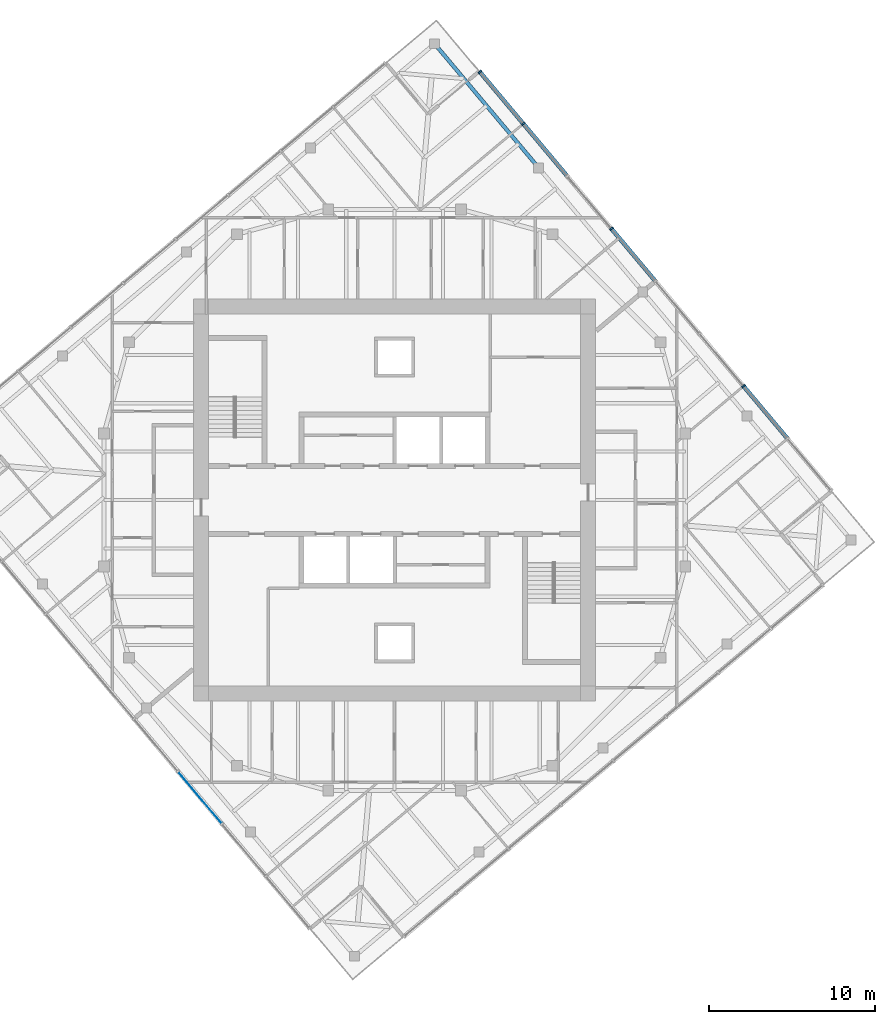
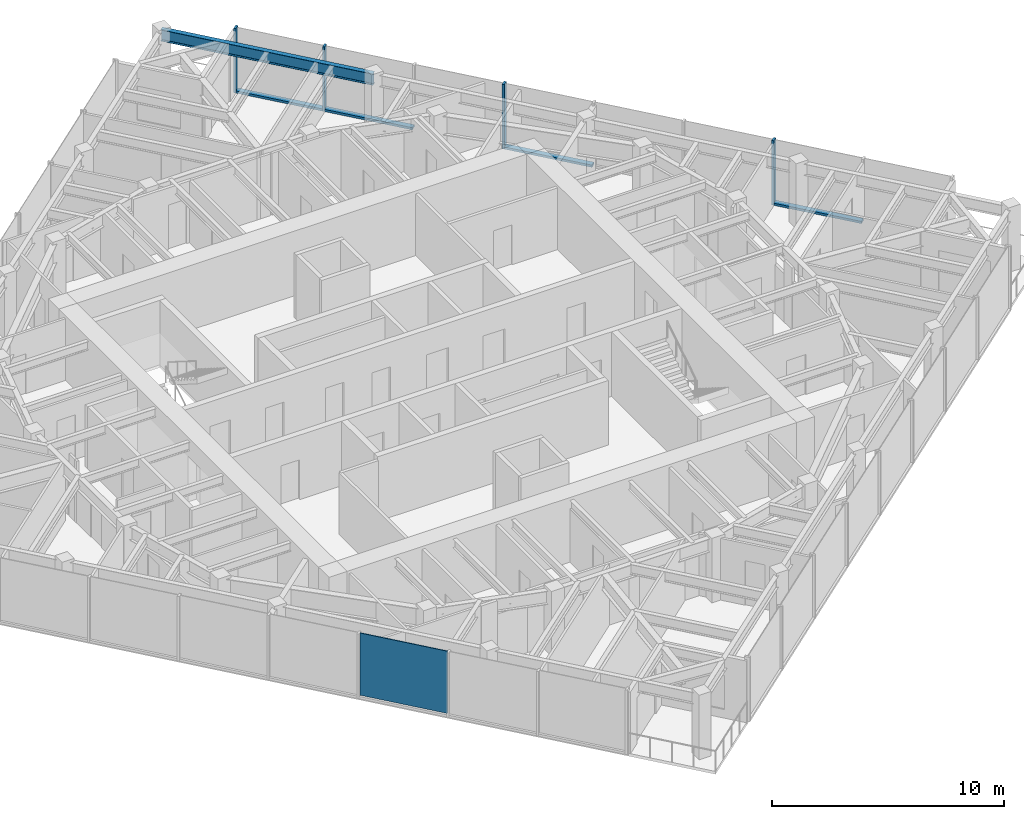
# One storey, part 5 of 12: 8 members, 1 beam, 1 plate, 2 elements without a shape of their own.
"""IFC4 building model written with IfcOpenShell, lengths in metres."""

from ifc_helpers import new_model, si_unit, direction, frame, origin, origin_2d, place, context, subcontext, project, spatial, rectangle, i_section, extrude, material, layer, layer_set, material_profile, profile_set, type_object, element, aggregate, save


model = new_model("IFC4")

# Units and contexts
model_context = context("Model", 3, precision=1e-05, world=origin(), true_north=direction((0.0, 1.0)))
body_context = subcontext(model_context, "Body", "Model", "MODEL_VIEW")
ifc_project = project(units=[si_unit("LENGTHUNIT", "METRE"), si_unit("AREAUNIT", "SQUARE_METRE"), si_unit("VOLUMEUNIT", "CUBIC_METRE"), si_unit("PLANEANGLEUNIT", "RADIAN"), si_unit("MASSUNIT", "GRAM", prefix="KILO")], contexts=[model_context])

# Site, building, storey
site_placement = place(None, origin())
site = spatial("IfcSite", under=ifc_project, at=site_placement, CompositionType="ELEMENT")
building_placement = place(site_placement, origin())
building = spatial("IfcBuilding", under=site, at=building_placement, Name="Torsade Residences", CompositionType="ELEMENT")
storey_placement = place(building_placement, frame((0.0, 0.0, 279.39990234375)))
storey = spatial("IfcBuildingStorey", under=building, at=storey_placement, Name="L77", CompositionType="ELEMENT", Elevation=279.39990234375)

# Beam
ifc_material_1 = material(Name="Steel grade 300", Category="steel")
ifc_material_profile_1 = material_profile(ifc_material_1, i_section(OverallWidth=0.22802734375, OverallDepth=0.60205078125, WebThickness=0.010498046875, FlangeThickness=0.014892578125, FilletRadius=0.013916015625, at=origin_2d()), Name="610UB101")
ifc_profile_set_1 = profile_set([ifc_material_profile_1], Name="Steel grade 300")
beam_type = type_object("IfcBeamType", Name="EDGE BEAM 610UB101", PredefinedType="SPANDREL", material=ifc_profile_set_1)
beam_placement = place(storey_placement, frame((48.670654296875, 50.003173828125, 2.94921875), z_axis=(-0.642779160279, 0.766051532934, 0.0), x_axis=(-0.766051532934, -0.642779160279, 0.0)))
element("IfcBeam", 1, at=beam_placement, inside=storey, type_object=beam_type, Name="Edge beam 08 L78", PredefinedType="SPANDREL", context=body_context, shape_type="SweptSolid", body=[
    extrude(i_section(OverallWidth=0.22802734375, OverallDepth=0.60205078125, WebThickness=0.010498046875, FlangeThickness=0.014892578125, FilletRadius=0.013916015625, at=origin_2d()), origin(), (0.0, 0.0, 1.0), 9.75),
])

# Curtain wall, members
ifc_material_2 = material(Name="Aluminium and glass", Category="aluminium")
curtain_wall_type = type_object("IfcCurtainWallType", Name="FRITTED GLASS CURTAIN WALL HIGH ZONE", PredefinedType="NOTDEFINED", material=ifc_material_2)
curtain_wall_1_placement = place(storey_placement, origin())
curtain_wall_1 = element("IfcCurtainWall", 2, at=curtain_wall_1_placement, inside=storey, type_object=curtain_wall_type, Name="Curtain wall L77 face 4", PredefinedType="NOTDEFINED")
ifc_material_3 = material(Name="Aluminium mullion", Category="aluminium")
ifc_material_profile_2 = material_profile(ifc_material_3, rectangle(XDim=0.25, YDim=0.10009765625, at=origin_2d()), Name="HIGH ZONE CURTAIN WALL MULLION 250x100")
ifc_profile_set_2 = profile_set([ifc_material_profile_2], Name="Aluminium mullion")
member_type_1 = type_object("IfcMemberType", Name="HIGH ZONE CURTAIN WALL MULLION 250x100", PredefinedType="MULLION", material=ifc_profile_set_2)
member_1_placement = place(storey_placement, frame((61.0068359375, 36.857177734375, 0.0), z_axis=(0.0, 0.0, 1.0), x_axis=(-0.766044437106, -0.642787616853, 0.0)))
member_1 = element("IfcMember", 3, at=member_1_placement, type_object=member_type_1, Name="Mullion 3", PredefinedType="MULLION", context=body_context, shape_type="SweptSolid", body=[
    extrude(rectangle(XDim=0.25, YDim=0.10009765625, at=origin_2d()), origin(), (0.0, 0.0, 1.0), 3.400146484375),
])
member_2_placement = place(storey_placement, frame((53.052490234375, 46.337158203125, 0.0), z_axis=(0.0, 0.0, 1.0), x_axis=(-0.766044437106, -0.642787616853, 0.0)))
member_2 = element("IfcMember", 4, at=member_2_placement, type_object=member_type_1, Name="Mullion 6", PredefinedType="MULLION", context=body_context, shape_type="SweptSolid", body=[
    extrude(rectangle(XDim=0.25, YDim=0.10009765625, at=origin_2d()), origin(), (0.0, 0.0, 1.0), 3.400146484375),
])
member_3_placement = place(storey_placement, frame((47.74951171875, 52.656982421875, 0.0), z_axis=(0.0, 0.0, 1.0), x_axis=(-0.766044437106, -0.642787616853, 0.0)))
member_3 = element("IfcMember", 5, at=member_3_placement, type_object=member_type_1, Name="Mullion 8", PredefinedType="MULLION", context=body_context, shape_type="SweptSolid", body=[
    extrude(rectangle(XDim=0.25, YDim=0.10009765625, at=origin_2d()), origin(), (0.0, 0.0, 1.0), 3.400146484375),
])
member_4_placement = place(storey_placement, frame((45.130126953125, 55.778564453125, 0.0), z_axis=(0.0, 0.0, 1.0), x_axis=(-0.766044437106, -0.642787616853, 0.0)))
member_4 = element("IfcMember", 6, at=member_4_placement, type_object=member_type_1, Name="Mullion 9", PredefinedType="MULLION", context=body_context, shape_type="SweptSolid", body=[
    extrude(rectangle(XDim=0.25, YDim=0.10009765625, at=origin_2d()), origin(), (0.0, 0.0, 1.0), 3.400146484375),
])
ifc_material_4 = material(Name="Aluminium transom", Category="aluminium")
ifc_material_profile_3 = material_profile(ifc_material_4, rectangle(XDim=0.25, YDim=0.1201171875, at=origin_2d()), Name="HIGH ZONE CURTAIN WALL TRANSOM 250x120")
ifc_profile_set_3 = profile_set([ifc_material_profile_3], Name="Aluminium transom")
member_type_2 = type_object("IfcMemberType", Name="HIGH ZONE CURTAIN WALL TRANSOM 250x120", PredefinedType="USERDEFINED", material=ifc_profile_set_3)
member_5_placement = place(storey_placement, frame((63.626220703125, 33.735595703125, 0.06005859375), z_axis=(-0.6427581255, 0.766069182322, 0.0), x_axis=(-0.766069182322, -0.6427581255, 0.0)))
member_5 = element("IfcMember", 7, at=member_5_placement, type_object=member_type_2, Name="Transom 2.1", ObjectType="TRANSOM", PredefinedType="USERDEFINED", context=body_context, shape_type="SweptSolid", body=[
    extrude(rectangle(XDim=0.25, YDim=0.1201171875, at=origin_2d()), origin(), (0.0, 0.0, 1.0), 4.025146484375),
])
member_6_placement = place(storey_placement, frame((55.671875, 43.21533203125, 0.06005859375), z_axis=(-0.642793719372, 0.766039316443, 0.0), x_axis=(-0.766039316443, -0.642793719372, 0.0)))
member_6 = element("IfcMember", 8, at=member_6_placement, type_object=member_type_2, Name="Transom 5.1", ObjectType="TRANSOM", PredefinedType="USERDEFINED", context=body_context, shape_type="SweptSolid", body=[
    extrude(rectangle(XDim=0.25, YDim=0.1201171875, at=origin_2d()), origin(), (0.0, 0.0, 1.0), 4.025146484375),
])
member_7_placement = place(storey_placement, frame((50.36865234375, 49.535400390625, 0.06005859375), z_axis=(-0.642787992616, 0.766044121803, 0.0), x_axis=(-0.766044121803, -0.642787992616, 0.0)))
member_7 = element("IfcMember", 9, at=member_7_placement, type_object=member_type_2, Name="Transom 7.1", ObjectType="TRANSOM", PredefinedType="USERDEFINED", context=body_context, shape_type="SweptSolid", body=[
    extrude(rectangle(XDim=0.25, YDim=0.1201171875, at=origin_2d()), origin(), (0.0, 0.0, 1.0), 4.02490234375),
])
member_8_placement = place(storey_placement, frame((47.71728515625, 52.6953125, 0.06005859375), z_axis=(-0.642814619413, 0.766021778456, 0.0), x_axis=(-0.766021778456, -0.642814619413, 0.0)))
member_8 = element("IfcMember", 10, at=member_8_placement, type_object=member_type_2, Name="Transom 8.1", ObjectType="TRANSOM", PredefinedType="USERDEFINED", context=body_context, shape_type="SweptSolid", body=[
    extrude(rectangle(XDim=0.25, YDim=0.1201171875, at=origin_2d()), origin(), (0.0, 0.0, 1.0), 3.97509765625),
])
aggregate(curtain_wall_1, [member_1, member_2, member_3, member_4, member_5, member_6, member_7, member_8])

# Curtain wall, plate
curtain_wall_2_placement = place(storey_placement, origin())
curtain_wall_2 = element("IfcCurtainWall", 11, at=curtain_wall_2_placement, inside=storey, type_object=curtain_wall_type, Name="Curtain wall L77 face 10", PredefinedType="NOTDEFINED")
ifc_material_5 = material(Name="Laminated glass", Category="glass")
ifc_layer = layer(ifc_material_5, 0.0400390625)
ifc_layer_set = layer_set([ifc_layer], Name="Laminated glass")
plate_type = type_object("IfcPlateType", Name="OPERABLE VENT PANEL", PredefinedType="CURTAIN_PANEL", material=ifc_layer_set)
plate_placement = place(storey_placement, frame((28.2734375, 12.0830078125, 0.1201171875), z_axis=(0.0, 0.0, 1.0), x_axis=(0.642787616853, -0.766044437106, 0.0)))
plate = element("IfcPlate", 12, at=plate_placement, type_object=plate_type, Name="Panel 6", PredefinedType="CURTAIN_PANEL", context=body_context, shape_type="SweptSolid", body=[
    extrude(rectangle(XDim=4.02490234375, YDim=0.0400390625, at=origin_2d()), origin(), (0.0, 0.0, 1.0), 3.280029296875),
])
aggregate(curtain_wall_2, [plate])

save(model, "model.ifc")
